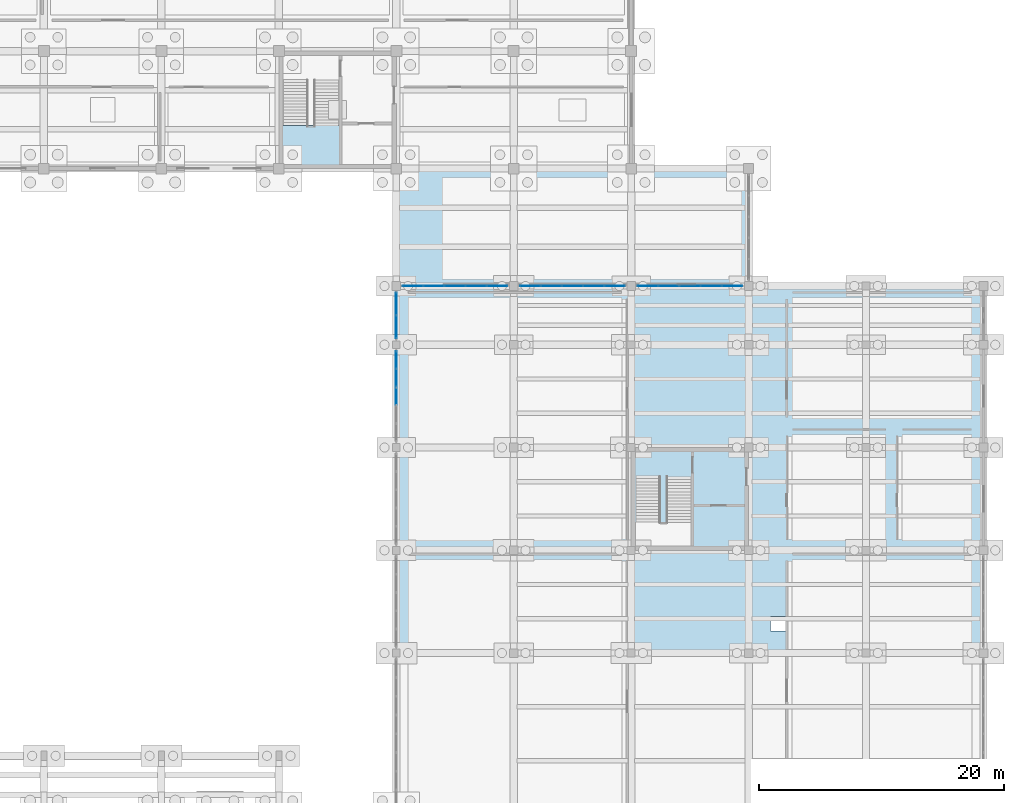
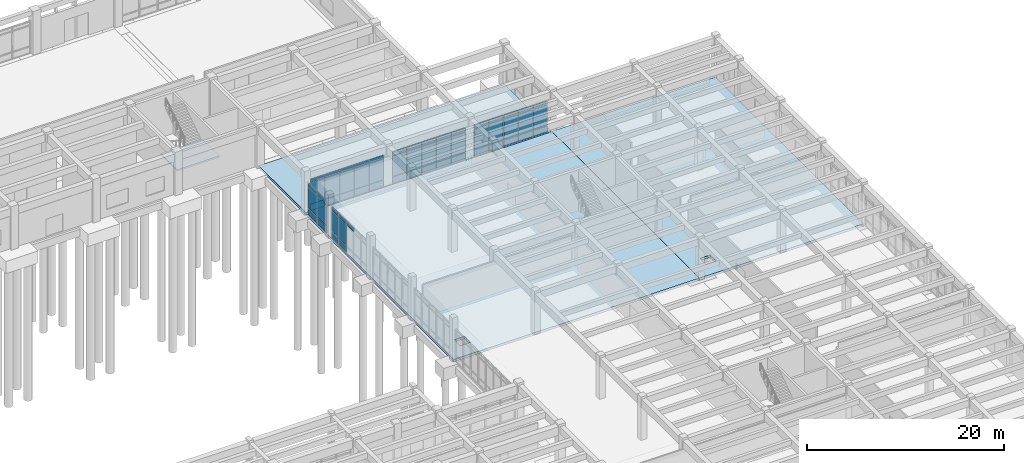
# One storey, part 65 of 102: 58 plates, 4 slabs, 6 elements without a shape of their own.
"""IFC4 building model written with IfcOpenShell, lengths in metres."""

from ifc_helpers import new_model, si_unit, direction, frame, origin, origin_2d, place, context, subcontext, project, spatial, polyline, rectangle, outline, extrude, material, layer, layer_set, type_object, element, aggregate, save


model = new_model("IFC4")

# Units and contexts
model_context = context("Model", 3, precision=1e-05, world=origin(), true_north=direction((0.0, 1.0)))
body_context = subcontext(model_context, "Body", "Model", "MODEL_VIEW")
ifc_project = project(units=[si_unit("LENGTHUNIT", "METRE"), si_unit("AREAUNIT", "SQUARE_METRE"), si_unit("VOLUMEUNIT", "CUBIC_METRE"), si_unit("PLANEANGLEUNIT", "RADIAN"), si_unit("MASSUNIT", "GRAM", prefix="KILO")], contexts=[model_context])

# Site, building, storey
site_placement = place(None, origin())
site = spatial("IfcSite", under=ifc_project, at=site_placement, CompositionType="ELEMENT")
building_placement = place(site_placement, origin())
building = spatial("IfcBuilding", under=site, at=building_placement, Name="Kolvemor Railside Polytechnic", CompositionType="ELEMENT")
storey_placement = place(building_placement, origin())
storey = spatial("IfcBuildingStorey", under=building, at=storey_placement, Name="L00", CompositionType="ELEMENT", Elevation=0.0)

# Curtain wall, plates
ifc_material_1 = material(Name="Anodised marine aluminium and laminated low-E glass", Category="aluminium")
ifc_layer_1 = layer(ifc_material_1, 0.179931640625, Name="CW-UNIT-STD")
ifc_layer_set_1 = layer_set([ifc_layer_1], Name="Anodised marine aluminium and laminated low-E glass")
curtain_wall_type = type_object("IfcCurtainWallType", Name="CW-UNIT-STD", PredefinedType="USERDEFINED", material=ifc_layer_set_1)
curtain_wall_1_placement = place(storey_placement, origin())
curtain_wall_1 = element("IfcCurtainWall", 1, at=curtain_wall_1_placement, inside=storey, type_object=curtain_wall_type, Name="Curtain Wall L00-086", ObjectType="UNITISED CURTAIN WALL", PredefinedType="USERDEFINED")
ifc_material_2 = material(Name="Hurricane-laminated solar-control low-E glass", Category="glass")
ifc_layer_2 = layer(ifc_material_2, 0.052001953125, Name="CWP-GLZ-16")
ifc_layer_set_2 = layer_set([ifc_layer_2], Name="Hurricane-laminated solar-control low-E glass")
plate_type_1 = type_object("IfcPlateType", Name="CWP-GLZ-16", PredefinedType="CURTAIN_PANEL", material=ifc_layer_set_2)
plate_1_placement = place(storey_placement, frame((134.39990234375, 75.565185546875, 0.074951171875), z_axis=(0.0, 0.0, 1.0), x_axis=(0.0, -1.0, 0.0)))
plate_1 = element("IfcPlate", 2, at=plate_1_placement, type_object=plate_type_1, Name="CW-STD panel 1.1", PredefinedType="CURTAIN_PANEL", context=body_context, shape_type="SweptSolid", body=[
    extrude(rectangle(XDim=1.37939453125, YDim=0.052001953125, at=origin_2d()), origin(), (0.0, 0.0, 1.0), 0.78759765625),
])
plate_2_placement = place(storey_placement, frame((134.39990234375, 75.565185546875, 0.9375), z_axis=(0.0, 0.0, 1.0), x_axis=(0.0, -1.0, 0.0)))
plate_2 = element("IfcPlate", 3, at=plate_2_placement, type_object=plate_type_1, Name="CW-STD panel 1.2", PredefinedType="CURTAIN_PANEL", context=body_context, shape_type="SweptSolid", body=[
    extrude(rectangle(XDim=1.37939453125, YDim=0.052001953125, at=origin_2d()), origin(), (0.0, 0.0, 1.0), 2.514892578125),
])
plate_3_placement = place(storey_placement, frame((134.39990234375, 75.565185546875, 3.527587890625), z_axis=(0.0, 0.0, 1.0), x_axis=(0.0, -1.0, 0.0)))
plate_3 = element("IfcPlate", 4, at=plate_3_placement, type_object=plate_type_1, Name="CW-STD panel 1.3", PredefinedType="CURTAIN_PANEL", context=body_context, shape_type="SweptSolid", body=[
    extrude(rectangle(XDim=1.37939453125, YDim=0.052001953125, at=origin_2d()), origin(), (0.0, 0.0, 1.0), 0.4375),
])
plate_4_placement = place(storey_placement, frame((134.39990234375, 74.092041015625, 0.074951171875), z_axis=(0.0, 0.0, 1.0), x_axis=(0.0, -1.0, 0.0)))
plate_4 = element("IfcPlate", 5, at=plate_4_placement, type_object=plate_type_1, Name="CW-STD panel 2.1", PredefinedType="CURTAIN_PANEL", context=body_context, shape_type="SweptSolid", body=[
    extrude(rectangle(XDim=1.4169921875, YDim=0.052001953125, at=origin_2d()), origin(), (0.0, 0.0, 1.0), 0.78759765625),
])
plate_5_placement = place(storey_placement, frame((134.39990234375, 74.092041015625, 0.9375), z_axis=(0.0, 0.0, 1.0), x_axis=(0.0, -1.0, 0.0)))
plate_5 = element("IfcPlate", 6, at=plate_5_placement, type_object=plate_type_1, Name="CW-STD panel 2.2", PredefinedType="CURTAIN_PANEL", context=body_context, shape_type="SweptSolid", body=[
    extrude(rectangle(XDim=1.4169921875, YDim=0.052001953125, at=origin_2d()), origin(), (0.0, 0.0, 1.0), 2.514892578125),
])
plate_6_placement = place(storey_placement, frame((134.39990234375, 74.092041015625, 3.527587890625), z_axis=(0.0, 0.0, 1.0), x_axis=(0.0, -1.0, 0.0)))
plate_6 = element("IfcPlate", 7, at=plate_6_placement, type_object=plate_type_1, Name="CW-STD panel 2.3", PredefinedType="CURTAIN_PANEL", context=body_context, shape_type="SweptSolid", body=[
    extrude(rectangle(XDim=1.4169921875, YDim=0.052001953125, at=origin_2d()), origin(), (0.0, 0.0, 1.0), 0.4375),
])
plate_7_placement = place(storey_placement, frame((134.39990234375, 72.60009765625, 3.527587890625), z_axis=(0.0, 0.0, 1.0), x_axis=(0.0, -1.0, 0.0)))
plate_7 = element("IfcPlate", 8, at=plate_7_placement, type_object=plate_type_1, Name="CW-STD panel 3.3", PredefinedType="CURTAIN_PANEL", context=body_context, shape_type="SweptSolid", body=[
    extrude(rectangle(XDim=1.4169921875, YDim=0.052001953125, at=origin_2d()), origin(), (0.0, 0.0, 1.0), 0.4375),
])
aggregate(curtain_wall_1, [plate_1, plate_2, plate_3, plate_4, plate_5, plate_6, plate_7])

curtain_wall_2_placement = place(storey_placement, origin())
curtain_wall_2 = element("IfcCurtainWall", 9, at=curtain_wall_2_placement, inside=storey, type_object=curtain_wall_type, Name="Curtain Wall L00-031", ObjectType="UNITISED CURTAIN WALL", PredefinedType="USERDEFINED")
ifc_material_3 = material(Name="Hurricane-laminated solar-control low-E glass", Category="glass")
ifc_layer_3 = layer(ifc_material_3, 0.053955078125, Name="CWP-GLZ-17")
ifc_layer_set_3 = layer_set([ifc_layer_3], Name="Hurricane-laminated solar-control low-E glass")
plate_type_2 = type_object("IfcPlateType", Name="CWP-GLZ-17", PredefinedType="CURTAIN_PANEL", material=ifc_layer_set_3)
plate_8_placement = place(storey_placement, frame((142.647705078125, 81.60009765625, 0.06494140625), z_axis=(0.0, 0.0, 1.0), x_axis=(-1.0, 0.0, 0.0)))
plate_8 = element("IfcPlate", 10, at=plate_8_placement, type_object=plate_type_2, Name="CW-STD panel 1.1", PredefinedType="CURTAIN_PANEL", context=body_context, shape_type="SweptSolid", body=[
    extrude(rectangle(XDim=1.634521484375, YDim=0.053955078125, at=origin_2d()), origin(), (0.0, 0.0, 1.0), 0.802490234375),
])
plate_9_placement = place(storey_placement, frame((142.647705078125, 81.60009765625, 0.9326171875), z_axis=(0.0, 0.0, 1.0), x_axis=(-1.0, 0.0, 0.0)))
plate_9 = element("IfcPlate", 11, at=plate_9_placement, type_object=plate_type_2, Name="CW-STD panel 1.2", PredefinedType="CURTAIN_PANEL", context=body_context, shape_type="SweptSolid", body=[
    extrude(rectangle(XDim=1.634521484375, YDim=0.053955078125, at=origin_2d()), origin(), (0.0, 0.0, 1.0), 2.52490234375),
])
plate_10_placement = place(storey_placement, frame((142.647705078125, 81.60009765625, 3.5224609375), z_axis=(0.0, 0.0, 1.0), x_axis=(-1.0, 0.0, 0.0)))
plate_10 = element("IfcPlate", 12, at=plate_10_placement, type_object=plate_type_2, Name="CW-STD panel 1.3", PredefinedType="CURTAIN_PANEL", context=body_context, shape_type="SweptSolid", body=[
    extrude(rectangle(XDim=1.634521484375, YDim=0.053955078125, at=origin_2d()), origin(), (0.0, 0.0, 1.0), 0.452392578125),
])
plate_11_placement = place(storey_placement, frame((140.931884765625, 81.60009765625, 0.06494140625), z_axis=(0.0, 0.0, 1.0), x_axis=(-1.0, 0.0, 0.0)))
plate_11 = element("IfcPlate", 13, at=plate_11_placement, type_object=plate_type_2, Name="CW-STD panel 2.1", PredefinedType="CURTAIN_PANEL", context=body_context, shape_type="SweptSolid", body=[
    extrude(rectangle(XDim=1.6669921875, YDim=0.053955078125, at=origin_2d()), origin(), (0.0, 0.0, 1.0), 0.802490234375),
])
plate_12_placement = place(storey_placement, frame((140.931884765625, 81.60009765625, 0.9326171875), z_axis=(0.0, 0.0, 1.0), x_axis=(-1.0, 0.0, 0.0)))
plate_12 = element("IfcPlate", 14, at=plate_12_placement, type_object=plate_type_2, Name="CW-STD panel 2.2", PredefinedType="CURTAIN_PANEL", context=body_context, shape_type="SweptSolid", body=[
    extrude(rectangle(XDim=1.6669921875, YDim=0.053955078125, at=origin_2d()), origin(), (0.0, 0.0, 1.0), 2.52490234375),
])
plate_13_placement = place(storey_placement, frame((140.931884765625, 81.60009765625, 3.5224609375), z_axis=(0.0, 0.0, 1.0), x_axis=(-1.0, 0.0, 0.0)))
plate_13 = element("IfcPlate", 15, at=plate_13_placement, type_object=plate_type_2, Name="CW-STD panel 2.3", PredefinedType="CURTAIN_PANEL", context=body_context, shape_type="SweptSolid", body=[
    extrude(rectangle(XDim=1.6669921875, YDim=0.053955078125, at=origin_2d()), origin(), (0.0, 0.0, 1.0), 0.452392578125),
])
plate_14_placement = place(storey_placement, frame((139.199951171875, 81.60009765625, 0.06494140625), z_axis=(0.0, 0.0, 1.0), x_axis=(-1.0, 0.0, 0.0)))
plate_14 = element("IfcPlate", 16, at=plate_14_placement, type_object=plate_type_2, Name="CW-STD panel 3.1", PredefinedType="CURTAIN_PANEL", context=body_context, shape_type="SweptSolid", body=[
    extrude(rectangle(XDim=1.6669921875, YDim=0.053955078125, at=origin_2d()), origin(), (0.0, 0.0, 1.0), 0.802490234375),
])
plate_15_placement = place(storey_placement, frame((139.199951171875, 81.60009765625, 0.9326171875), z_axis=(0.0, 0.0, 1.0), x_axis=(-1.0, 0.0, 0.0)))
plate_15 = element("IfcPlate", 17, at=plate_15_placement, type_object=plate_type_2, Name="CW-STD panel 3.2", PredefinedType="CURTAIN_PANEL", context=body_context, shape_type="SweptSolid", body=[
    extrude(rectangle(XDim=1.6669921875, YDim=0.053955078125, at=origin_2d()), origin(), (0.0, 0.0, 1.0), 2.52490234375),
])
plate_16_placement = place(storey_placement, frame((139.199951171875, 81.60009765625, 3.5224609375), z_axis=(0.0, 0.0, 1.0), x_axis=(-1.0, 0.0, 0.0)))
plate_16 = element("IfcPlate", 18, at=plate_16_placement, type_object=plate_type_2, Name="CW-STD panel 3.3", PredefinedType="CURTAIN_PANEL", context=body_context, shape_type="SweptSolid", body=[
    extrude(rectangle(XDim=1.6669921875, YDim=0.053955078125, at=origin_2d()), origin(), (0.0, 0.0, 1.0), 0.452392578125),
])
plate_17_placement = place(storey_placement, frame((137.468017578125, 81.60009765625, 0.06494140625), z_axis=(0.0, 0.0, 1.0), x_axis=(-1.0, 0.0, 0.0)))
plate_17 = element("IfcPlate", 19, at=plate_17_placement, type_object=plate_type_2, Name="CW-STD panel 4.1", PredefinedType="CURTAIN_PANEL", context=body_context, shape_type="SweptSolid", body=[
    extrude(rectangle(XDim=1.6669921875, YDim=0.053955078125, at=origin_2d()), origin(), (0.0, 0.0, 1.0), 0.802490234375),
])
plate_18_placement = place(storey_placement, frame((137.468017578125, 81.60009765625, 0.9326171875), z_axis=(0.0, 0.0, 1.0), x_axis=(-1.0, 0.0, 0.0)))
plate_18 = element("IfcPlate", 20, at=plate_18_placement, type_object=plate_type_2, Name="CW-STD panel 4.2", PredefinedType="CURTAIN_PANEL", context=body_context, shape_type="SweptSolid", body=[
    extrude(rectangle(XDim=1.6669921875, YDim=0.053955078125, at=origin_2d()), origin(), (0.0, 0.0, 1.0), 2.52490234375),
])
plate_19_placement = place(storey_placement, frame((137.468017578125, 81.60009765625, 3.5224609375), z_axis=(0.0, 0.0, 1.0), x_axis=(-1.0, 0.0, 0.0)))
plate_19 = element("IfcPlate", 21, at=plate_19_placement, type_object=plate_type_2, Name="CW-STD panel 4.3", PredefinedType="CURTAIN_PANEL", context=body_context, shape_type="SweptSolid", body=[
    extrude(rectangle(XDim=1.6669921875, YDim=0.053955078125, at=origin_2d()), origin(), (0.0, 0.0, 1.0), 0.452392578125),
])
plate_20_placement = place(storey_placement, frame((135.752197265625, 81.60009765625, 0.06494140625), z_axis=(0.0, 0.0, 1.0), x_axis=(-1.0, 0.0, 0.0)))
plate_20 = element("IfcPlate", 22, at=plate_20_placement, type_object=plate_type_2, Name="CW-STD panel 5.1", PredefinedType="CURTAIN_PANEL", context=body_context, shape_type="SweptSolid", body=[
    extrude(rectangle(XDim=1.634521484375, YDim=0.053955078125, at=origin_2d()), origin(), (0.0, 0.0, 1.0), 0.802490234375),
])
plate_21_placement = place(storey_placement, frame((135.752197265625, 81.60009765625, 0.9326171875), z_axis=(0.0, 0.0, 1.0), x_axis=(-1.0, 0.0, 0.0)))
plate_21 = element("IfcPlate", 23, at=plate_21_placement, type_object=plate_type_2, Name="CW-STD panel 5.2", PredefinedType="CURTAIN_PANEL", context=body_context, shape_type="SweptSolid", body=[
    extrude(rectangle(XDim=1.634521484375, YDim=0.053955078125, at=origin_2d()), origin(), (0.0, 0.0, 1.0), 2.52490234375),
])
plate_22_placement = place(storey_placement, frame((135.752197265625, 81.60009765625, 3.5224609375), z_axis=(0.0, 0.0, 1.0), x_axis=(-1.0, 0.0, 0.0)))
plate_22 = element("IfcPlate", 24, at=plate_22_placement, type_object=plate_type_2, Name="CW-STD panel 5.3", PredefinedType="CURTAIN_PANEL", context=body_context, shape_type="SweptSolid", body=[
    extrude(rectangle(XDim=1.634521484375, YDim=0.053955078125, at=origin_2d()), origin(), (0.0, 0.0, 1.0), 0.452392578125),
])
aggregate(curtain_wall_2, [plate_8, plate_9, plate_10, plate_11, plate_12, plate_13, plate_14, plate_15, plate_16, plate_17, plate_18, plate_19, plate_20, plate_21, plate_22])

curtain_wall_3_placement = place(storey_placement, origin())
curtain_wall_3 = element("IfcCurtainWall", 25, at=curtain_wall_3_placement, inside=storey, type_object=curtain_wall_type, Name="Curtain Wall L00-092", ObjectType="UNITISED CURTAIN WALL", PredefinedType="USERDEFINED")
plate_23_placement = place(storey_placement, frame((134.39990234375, 80.146240234375, 0.074951171875), z_axis=(0.0, 0.0, 1.0), x_axis=(0.0, -1.0, 0.0)))
plate_23 = element("IfcPlate", 26, at=plate_23_placement, type_object=plate_type_2, Name="CW-STD panel 1.1", PredefinedType="CURTAIN_PANEL", context=body_context, shape_type="SweptSolid", body=[
    extrude(rectangle(XDim=1.8173828125, YDim=0.053955078125, at=origin_2d()), origin(), (0.0, 0.0, 1.0), 0.78759765625),
])
plate_24_placement = place(storey_placement, frame((134.39990234375, 80.146240234375, 0.9375), z_axis=(0.0, 0.0, 1.0), x_axis=(0.0, -1.0, 0.0)))
plate_24 = element("IfcPlate", 27, at=plate_24_placement, type_object=plate_type_2, Name="CW-STD panel 1.2", PredefinedType="CURTAIN_PANEL", context=body_context, shape_type="SweptSolid", body=[
    extrude(rectangle(XDim=1.8173828125, YDim=0.053955078125, at=origin_2d()), origin(), (0.0, 0.0, 1.0), 2.514892578125),
])
plate_25_placement = place(storey_placement, frame((134.39990234375, 80.146240234375, 3.527587890625), z_axis=(0.0, 0.0, 1.0), x_axis=(0.0, -1.0, 0.0)))
plate_25 = element("IfcPlate", 28, at=plate_25_placement, type_object=plate_type_2, Name="CW-STD panel 1.3", PredefinedType="CURTAIN_PANEL", context=body_context, shape_type="SweptSolid", body=[
    extrude(rectangle(XDim=1.8173828125, YDim=0.053955078125, at=origin_2d()), origin(), (0.0, 0.0, 1.0), 0.4375),
])
plate_26_placement = place(storey_placement, frame((134.39990234375, 78.253662109375, 0.074951171875), z_axis=(0.0, 0.0, 1.0), x_axis=(0.0, -1.0, 0.0)))
plate_26 = element("IfcPlate", 29, at=plate_26_placement, type_object=plate_type_2, Name="CW-STD panel 2.1", PredefinedType="CURTAIN_PANEL", context=body_context, shape_type="SweptSolid", body=[
    extrude(rectangle(XDim=1.8173828125, YDim=0.053955078125, at=origin_2d()), origin(), (0.0, 0.0, 1.0), 0.78759765625),
])
plate_27_placement = place(storey_placement, frame((134.39990234375, 78.253662109375, 0.9375), z_axis=(0.0, 0.0, 1.0), x_axis=(0.0, -1.0, 0.0)))
plate_27 = element("IfcPlate", 30, at=plate_27_placement, type_object=plate_type_2, Name="CW-STD panel 2.2", PredefinedType="CURTAIN_PANEL", context=body_context, shape_type="SweptSolid", body=[
    extrude(rectangle(XDim=1.8173828125, YDim=0.053955078125, at=origin_2d()), origin(), (0.0, 0.0, 1.0), 2.514892578125),
])
plate_28_placement = place(storey_placement, frame((134.39990234375, 78.253662109375, 3.527587890625), z_axis=(0.0, 0.0, 1.0), x_axis=(0.0, -1.0, 0.0)))
plate_28 = element("IfcPlate", 31, at=plate_28_placement, type_object=plate_type_2, Name="CW-STD panel 2.3", PredefinedType="CURTAIN_PANEL", context=body_context, shape_type="SweptSolid", body=[
    extrude(rectangle(XDim=1.8173828125, YDim=0.053955078125, at=origin_2d()), origin(), (0.0, 0.0, 1.0), 0.4375),
])
aggregate(curtain_wall_3, [plate_23, plate_24, plate_25, plate_26, plate_27, plate_28])

curtain_wall_4_placement = place(storey_placement, origin())
curtain_wall_4 = element("IfcCurtainWall", 32, at=curtain_wall_4_placement, inside=storey, type_object=curtain_wall_type, Name="Curtain Wall L00-032", ObjectType="UNITISED CURTAIN WALL", PredefinedType="USERDEFINED")
ifc_material_4 = material(Name="Hurricane-laminated solar-control low-E glass", Category="glass")
ifc_layer_4 = layer(ifc_material_4, 0.055908203125, Name="CWP-GLZ-18")
ifc_layer_set_4 = layer_set([ifc_layer_4], Name="Hurricane-laminated solar-control low-E glass")
plate_type_3 = type_object("IfcPlateType", Name="CWP-GLZ-18", PredefinedType="CURTAIN_PANEL", material=ifc_layer_set_4)
plate_29_placement = place(storey_placement, frame((152.247802734375, 81.60009765625, 0.06494140625), z_axis=(0.0, 0.0, 1.0), x_axis=(-1.0, 0.0, 0.0)))
plate_29 = element("IfcPlate", 33, at=plate_29_placement, type_object=plate_type_3, Name="CW-STD panel 1.1", PredefinedType="CURTAIN_PANEL", context=body_context, shape_type="SweptSolid", body=[
    extrude(rectangle(XDim=1.634521484375, YDim=0.055908203125, at=origin_2d()), origin(), (0.0, 0.0, 1.0), 0.802490234375),
])
plate_30_placement = place(storey_placement, frame((152.247802734375, 81.60009765625, 0.9326171875), z_axis=(0.0, 0.0, 1.0), x_axis=(-1.0, 0.0, 0.0)))
plate_30 = element("IfcPlate", 34, at=plate_30_placement, type_object=plate_type_3, Name="CW-STD panel 1.2", PredefinedType="CURTAIN_PANEL", context=body_context, shape_type="SweptSolid", body=[
    extrude(rectangle(XDim=1.634521484375, YDim=0.055908203125, at=origin_2d()), origin(), (0.0, 0.0, 1.0), 2.52490234375),
])
plate_31_placement = place(storey_placement, frame((152.247802734375, 81.60009765625, 3.5224609375), z_axis=(0.0, 0.0, 1.0), x_axis=(-1.0, 0.0, 0.0)))
plate_31 = element("IfcPlate", 35, at=plate_31_placement, type_object=plate_type_3, Name="CW-STD panel 1.3", PredefinedType="CURTAIN_PANEL", context=body_context, shape_type="SweptSolid", body=[
    extrude(rectangle(XDim=1.634521484375, YDim=0.055908203125, at=origin_2d()), origin(), (0.0, 0.0, 1.0), 0.452392578125),
])
plate_32_placement = place(storey_placement, frame((150.531982421875, 81.60009765625, 0.06494140625), z_axis=(0.0, 0.0, 1.0), x_axis=(-1.0, 0.0, 0.0)))
plate_32 = element("IfcPlate", 36, at=plate_32_placement, type_object=plate_type_3, Name="CW-STD panel 2.1", PredefinedType="CURTAIN_PANEL", context=body_context, shape_type="SweptSolid", body=[
    extrude(rectangle(XDim=1.6669921875, YDim=0.055908203125, at=origin_2d()), origin(), (0.0, 0.0, 1.0), 0.802490234375),
])
plate_33_placement = place(storey_placement, frame((150.531982421875, 81.60009765625, 0.9326171875), z_axis=(0.0, 0.0, 1.0), x_axis=(-1.0, 0.0, 0.0)))
plate_33 = element("IfcPlate", 37, at=plate_33_placement, type_object=plate_type_3, Name="CW-STD panel 2.2", PredefinedType="CURTAIN_PANEL", context=body_context, shape_type="SweptSolid", body=[
    extrude(rectangle(XDim=1.6669921875, YDim=0.055908203125, at=origin_2d()), origin(), (0.0, 0.0, 1.0), 2.52490234375),
])
plate_34_placement = place(storey_placement, frame((150.531982421875, 81.60009765625, 3.5224609375), z_axis=(0.0, 0.0, 1.0), x_axis=(-1.0, 0.0, 0.0)))
plate_34 = element("IfcPlate", 38, at=plate_34_placement, type_object=plate_type_3, Name="CW-STD panel 2.3", PredefinedType="CURTAIN_PANEL", context=body_context, shape_type="SweptSolid", body=[
    extrude(rectangle(XDim=1.6669921875, YDim=0.055908203125, at=origin_2d()), origin(), (0.0, 0.0, 1.0), 0.452392578125),
])
plate_35_placement = place(storey_placement, frame((148.800048828125, 81.60009765625, 0.06494140625), z_axis=(0.0, 0.0, 1.0), x_axis=(-1.0, 0.0, 0.0)))
plate_35 = element("IfcPlate", 39, at=plate_35_placement, type_object=plate_type_3, Name="CW-STD panel 3.1", PredefinedType="CURTAIN_PANEL", context=body_context, shape_type="SweptSolid", body=[
    extrude(rectangle(XDim=1.6669921875, YDim=0.055908203125, at=origin_2d()), origin(), (0.0, 0.0, 1.0), 0.802490234375),
])
plate_36_placement = place(storey_placement, frame((148.800048828125, 81.60009765625, 0.9326171875), z_axis=(0.0, 0.0, 1.0), x_axis=(-1.0, 0.0, 0.0)))
plate_36 = element("IfcPlate", 40, at=plate_36_placement, type_object=plate_type_3, Name="CW-STD panel 3.2", PredefinedType="CURTAIN_PANEL", context=body_context, shape_type="SweptSolid", body=[
    extrude(rectangle(XDim=1.6669921875, YDim=0.055908203125, at=origin_2d()), origin(), (0.0, 0.0, 1.0), 2.52490234375),
])
plate_37_placement = place(storey_placement, frame((148.800048828125, 81.60009765625, 3.5224609375), z_axis=(0.0, 0.0, 1.0), x_axis=(-1.0, 0.0, 0.0)))
plate_37 = element("IfcPlate", 41, at=plate_37_placement, type_object=plate_type_3, Name="CW-STD panel 3.3", PredefinedType="CURTAIN_PANEL", context=body_context, shape_type="SweptSolid", body=[
    extrude(rectangle(XDim=1.6669921875, YDim=0.055908203125, at=origin_2d()), origin(), (0.0, 0.0, 1.0), 0.452392578125),
])
plate_38_placement = place(storey_placement, frame((147.068115234375, 81.60009765625, 0.06494140625), z_axis=(0.0, 0.0, 1.0), x_axis=(-1.0, 0.0, 0.0)))
plate_38 = element("IfcPlate", 42, at=plate_38_placement, type_object=plate_type_3, Name="CW-STD panel 4.1", PredefinedType="CURTAIN_PANEL", context=body_context, shape_type="SweptSolid", body=[
    extrude(rectangle(XDim=1.6669921875, YDim=0.055908203125, at=origin_2d()), origin(), (0.0, 0.0, 1.0), 0.802490234375),
])
plate_39_placement = place(storey_placement, frame((147.068115234375, 81.60009765625, 0.9326171875), z_axis=(0.0, 0.0, 1.0), x_axis=(-1.0, 0.0, 0.0)))
plate_39 = element("IfcPlate", 43, at=plate_39_placement, type_object=plate_type_3, Name="CW-STD panel 4.2", PredefinedType="CURTAIN_PANEL", context=body_context, shape_type="SweptSolid", body=[
    extrude(rectangle(XDim=1.6669921875, YDim=0.055908203125, at=origin_2d()), origin(), (0.0, 0.0, 1.0), 2.52490234375),
])
plate_40_placement = place(storey_placement, frame((147.068115234375, 81.60009765625, 3.5224609375), z_axis=(0.0, 0.0, 1.0), x_axis=(-1.0, 0.0, 0.0)))
plate_40 = element("IfcPlate", 44, at=plate_40_placement, type_object=plate_type_3, Name="CW-STD panel 4.3", PredefinedType="CURTAIN_PANEL", context=body_context, shape_type="SweptSolid", body=[
    extrude(rectangle(XDim=1.6669921875, YDim=0.055908203125, at=origin_2d()), origin(), (0.0, 0.0, 1.0), 0.452392578125),
])
plate_41_placement = place(storey_placement, frame((145.352294921875, 81.60009765625, 0.06494140625), z_axis=(0.0, 0.0, 1.0), x_axis=(-1.0, 0.0, 0.0)))
plate_41 = element("IfcPlate", 45, at=plate_41_placement, type_object=plate_type_3, Name="CW-STD panel 5.1", PredefinedType="CURTAIN_PANEL", context=body_context, shape_type="SweptSolid", body=[
    extrude(rectangle(XDim=1.634521484375, YDim=0.055908203125, at=origin_2d()), origin(), (0.0, 0.0, 1.0), 0.802490234375),
])
plate_42_placement = place(storey_placement, frame((145.352294921875, 81.60009765625, 0.9326171875), z_axis=(0.0, 0.0, 1.0), x_axis=(-1.0, 0.0, 0.0)))
plate_42 = element("IfcPlate", 46, at=plate_42_placement, type_object=plate_type_3, Name="CW-STD panel 5.2", PredefinedType="CURTAIN_PANEL", context=body_context, shape_type="SweptSolid", body=[
    extrude(rectangle(XDim=1.634521484375, YDim=0.055908203125, at=origin_2d()), origin(), (0.0, 0.0, 1.0), 2.52490234375),
])
plate_43_placement = place(storey_placement, frame((145.352294921875, 81.60009765625, 3.5224609375), z_axis=(0.0, 0.0, 1.0), x_axis=(-1.0, 0.0, 0.0)))
plate_43 = element("IfcPlate", 47, at=plate_43_placement, type_object=plate_type_3, Name="CW-STD panel 5.3", PredefinedType="CURTAIN_PANEL", context=body_context, shape_type="SweptSolid", body=[
    extrude(rectangle(XDim=1.634521484375, YDim=0.055908203125, at=origin_2d()), origin(), (0.0, 0.0, 1.0), 0.452392578125),
])
aggregate(curtain_wall_4, [plate_29, plate_30, plate_31, plate_32, plate_33, plate_34, plate_35, plate_36, plate_37, plate_38, plate_39, plate_40, plate_41, plate_42, plate_43])

curtain_wall_5_placement = place(storey_placement, origin())
curtain_wall_5 = element("IfcCurtainWall", 48, at=curtain_wall_5_placement, inside=storey, type_object=curtain_wall_type, Name="Curtain Wall L00-033", ObjectType="UNITISED CURTAIN WALL", PredefinedType="USERDEFINED")
ifc_material_5 = material(Name="Hurricane-laminated solar-control low-E glass", Category="glass")
ifc_layer_5 = layer(ifc_material_5, 0.05810546875, Name="CWP-GLZ-19")
ifc_layer_set_5 = layer_set([ifc_layer_5], Name="Hurricane-laminated solar-control low-E glass")
plate_type_4 = type_object("IfcPlateType", Name="CWP-GLZ-19", PredefinedType="CURTAIN_PANEL", material=ifc_layer_set_5)
plate_44_placement = place(storey_placement, frame((161.84765625, 81.60009765625, 0.06494140625), z_axis=(0.0, 0.0, 1.0), x_axis=(-1.0, 0.0, 0.0)))
plate_44 = element("IfcPlate", 49, at=plate_44_placement, type_object=plate_type_4, Name="CW-STD panel 1.1", PredefinedType="CURTAIN_PANEL", context=body_context, shape_type="SweptSolid", body=[
    extrude(rectangle(XDim=1.634521484375, YDim=0.05810546875, at=origin_2d()), origin(), (0.0, 0.0, 1.0), 0.802490234375),
])
plate_45_placement = place(storey_placement, frame((161.84765625, 81.60009765625, 0.9326171875), z_axis=(0.0, 0.0, 1.0), x_axis=(-1.0, 0.0, 0.0)))
plate_45 = element("IfcPlate", 50, at=plate_45_placement, type_object=plate_type_4, Name="CW-STD panel 1.2", PredefinedType="CURTAIN_PANEL", context=body_context, shape_type="SweptSolid", body=[
    extrude(rectangle(XDim=1.634521484375, YDim=0.05810546875, at=origin_2d()), origin(), (0.0, 0.0, 1.0), 2.52490234375),
])
plate_46_placement = place(storey_placement, frame((161.84765625, 81.60009765625, 3.5224609375), z_axis=(0.0, 0.0, 1.0), x_axis=(-1.0, 0.0, 0.0)))
plate_46 = element("IfcPlate", 51, at=plate_46_placement, type_object=plate_type_4, Name="CW-STD panel 1.3", PredefinedType="CURTAIN_PANEL", context=body_context, shape_type="SweptSolid", body=[
    extrude(rectangle(XDim=1.634521484375, YDim=0.05810546875, at=origin_2d()), origin(), (0.0, 0.0, 1.0), 0.452392578125),
])
plate_47_placement = place(storey_placement, frame((160.132080078125, 81.60009765625, 0.06494140625), z_axis=(0.0, 0.0, 1.0), x_axis=(-1.0, 0.0, 0.0)))
plate_47 = element("IfcPlate", 52, at=plate_47_placement, type_object=plate_type_4, Name="CW-STD panel 2.1", PredefinedType="CURTAIN_PANEL", context=body_context, shape_type="SweptSolid", body=[
    extrude(rectangle(XDim=1.6669921875, YDim=0.05810546875, at=origin_2d()), origin(), (0.0, 0.0, 1.0), 0.802490234375),
])
plate_48_placement = place(storey_placement, frame((160.132080078125, 81.60009765625, 0.9326171875), z_axis=(0.0, 0.0, 1.0), x_axis=(-1.0, 0.0, 0.0)))
plate_48 = element("IfcPlate", 53, at=plate_48_placement, type_object=plate_type_4, Name="CW-STD panel 2.2", PredefinedType="CURTAIN_PANEL", context=body_context, shape_type="SweptSolid", body=[
    extrude(rectangle(XDim=1.6669921875, YDim=0.05810546875, at=origin_2d()), origin(), (0.0, 0.0, 1.0), 2.52490234375),
])
plate_49_placement = place(storey_placement, frame((160.132080078125, 81.60009765625, 3.5224609375), z_axis=(0.0, 0.0, 1.0), x_axis=(-1.0, 0.0, 0.0)))
plate_49 = element("IfcPlate", 54, at=plate_49_placement, type_object=plate_type_4, Name="CW-STD panel 2.3", PredefinedType="CURTAIN_PANEL", context=body_context, shape_type="SweptSolid", body=[
    extrude(rectangle(XDim=1.6669921875, YDim=0.05810546875, at=origin_2d()), origin(), (0.0, 0.0, 1.0), 0.452392578125),
])
plate_50_placement = place(storey_placement, frame((158.39990234375, 81.60009765625, 0.06494140625), z_axis=(0.0, 0.0, 1.0), x_axis=(-1.0, 0.0, 0.0)))
plate_50 = element("IfcPlate", 55, at=plate_50_placement, type_object=plate_type_4, Name="CW-STD panel 3.1", PredefinedType="CURTAIN_PANEL", context=body_context, shape_type="SweptSolid", body=[
    extrude(rectangle(XDim=1.6669921875, YDim=0.05810546875, at=origin_2d()), origin(), (0.0, 0.0, 1.0), 0.802490234375),
])
plate_51_placement = place(storey_placement, frame((158.39990234375, 81.60009765625, 0.9326171875), z_axis=(0.0, 0.0, 1.0), x_axis=(-1.0, 0.0, 0.0)))
plate_51 = element("IfcPlate", 56, at=plate_51_placement, type_object=plate_type_4, Name="CW-STD panel 3.2", PredefinedType="CURTAIN_PANEL", context=body_context, shape_type="SweptSolid", body=[
    extrude(rectangle(XDim=1.6669921875, YDim=0.05810546875, at=origin_2d()), origin(), (0.0, 0.0, 1.0), 2.52490234375),
])
plate_52_placement = place(storey_placement, frame((158.39990234375, 81.60009765625, 3.5224609375), z_axis=(0.0, 0.0, 1.0), x_axis=(-1.0, 0.0, 0.0)))
plate_52 = element("IfcPlate", 57, at=plate_52_placement, type_object=plate_type_4, Name="CW-STD panel 3.3", PredefinedType="CURTAIN_PANEL", context=body_context, shape_type="SweptSolid", body=[
    extrude(rectangle(XDim=1.6669921875, YDim=0.05810546875, at=origin_2d()), origin(), (0.0, 0.0, 1.0), 0.452392578125),
])
plate_53_placement = place(storey_placement, frame((156.66796875, 81.60009765625, 0.06494140625), z_axis=(0.0, 0.0, 1.0), x_axis=(-1.0, 0.0, 0.0)))
plate_53 = element("IfcPlate", 58, at=plate_53_placement, type_object=plate_type_4, Name="CW-STD panel 4.1", PredefinedType="CURTAIN_PANEL", context=body_context, shape_type="SweptSolid", body=[
    extrude(rectangle(XDim=1.6669921875, YDim=0.05810546875, at=origin_2d()), origin(), (0.0, 0.0, 1.0), 0.802490234375),
])
plate_54_placement = place(storey_placement, frame((156.66796875, 81.60009765625, 0.9326171875), z_axis=(0.0, 0.0, 1.0), x_axis=(-1.0, 0.0, 0.0)))
plate_54 = element("IfcPlate", 59, at=plate_54_placement, type_object=plate_type_4, Name="CW-STD panel 4.2", PredefinedType="CURTAIN_PANEL", context=body_context, shape_type="SweptSolid", body=[
    extrude(rectangle(XDim=1.6669921875, YDim=0.05810546875, at=origin_2d()), origin(), (0.0, 0.0, 1.0), 2.52490234375),
])
plate_55_placement = place(storey_placement, frame((156.66796875, 81.60009765625, 3.5224609375), z_axis=(0.0, 0.0, 1.0), x_axis=(-1.0, 0.0, 0.0)))
plate_55 = element("IfcPlate", 60, at=plate_55_placement, type_object=plate_type_4, Name="CW-STD panel 4.3", PredefinedType="CURTAIN_PANEL", context=body_context, shape_type="SweptSolid", body=[
    extrude(rectangle(XDim=1.6669921875, YDim=0.05810546875, at=origin_2d()), origin(), (0.0, 0.0, 1.0), 0.452392578125),
])
plate_56_placement = place(storey_placement, frame((154.9521484375, 81.60009765625, 0.06494140625), z_axis=(0.0, 0.0, 1.0), x_axis=(-1.0, 0.0, 0.0)))
plate_56 = element("IfcPlate", 61, at=plate_56_placement, type_object=plate_type_4, Name="CW-STD panel 5.1", PredefinedType="CURTAIN_PANEL", context=body_context, shape_type="SweptSolid", body=[
    extrude(rectangle(XDim=1.634521484375, YDim=0.05810546875, at=origin_2d()), origin(), (0.0, 0.0, 1.0), 0.802490234375),
])
plate_57_placement = place(storey_placement, frame((154.9521484375, 81.60009765625, 0.9326171875), z_axis=(0.0, 0.0, 1.0), x_axis=(-1.0, 0.0, 0.0)))
plate_57 = element("IfcPlate", 62, at=plate_57_placement, type_object=plate_type_4, Name="CW-STD panel 5.2", PredefinedType="CURTAIN_PANEL", context=body_context, shape_type="SweptSolid", body=[
    extrude(rectangle(XDim=1.634521484375, YDim=0.05810546875, at=origin_2d()), origin(), (0.0, 0.0, 1.0), 2.52490234375),
])
plate_58_placement = place(storey_placement, frame((154.9521484375, 81.60009765625, 3.5224609375), z_axis=(0.0, 0.0, 1.0), x_axis=(-1.0, 0.0, 0.0)))
plate_58 = element("IfcPlate", 63, at=plate_58_placement, type_object=plate_type_4, Name="CW-STD panel 5.3", PredefinedType="CURTAIN_PANEL", context=body_context, shape_type="SweptSolid", body=[
    extrude(rectangle(XDim=1.634521484375, YDim=0.05810546875, at=origin_2d()), origin(), (0.0, 0.0, 1.0), 0.452392578125),
])
aggregate(curtain_wall_5, [plate_44, plate_45, plate_46, plate_47, plate_48, plate_49, plate_50, plate_51, plate_52, plate_53, plate_54, plate_55, plate_56, plate_57, plate_58])

# Slabs
ifc_material_6 = material(Name="Concrete C40/50", Category="concrete")
ifc_layer_6 = layer(ifc_material_6, 0.300048828125, Name="SLB-BASE-STD")
ifc_layer_set_6 = layer_set([ifc_layer_6], Name="Concrete C40/50")
slab_type_1 = type_object("IfcSlabType", Name="SLB-BASE-STD", PredefinedType="BASESLAB", material=ifc_layer_set_6)
slab_1_placement = place(storey_placement, frame((0.0, 0.0, -0.300048828125)))
element("IfcSlab", 64, at=slab_1_placement, inside=storey, type_object=slab_type_1, Name="East Link Base Slab L00-07", PredefinedType="BASESLAB", context=body_context, shape_type="SweptSolid", body=[
    extrude(outline(polyline([(134.39990234375, 81.60009765625), (163.199951171875, 81.60009765625), (163.199951171875, 91.199951171875), (134.39990234375, 91.199951171875), (134.39990234375, 81.60009765625)])), origin(), (0.0, 0.0, 1.0), 0.300048828125),
])
slab_2_placement = place(storey_placement, frame((0.0, 0.0, -0.300048828125)))
element("IfcSlab", 65, at=slab_2_placement, inside=storey, type_object=slab_type_1, Name="Union Wing Base Slab L00-18", PredefinedType="BASESLAB", context=body_context, shape_type="SweptSolid", body=[
    extrude(outline(polyline([(134.39990234375, 51.60009765625), (163.199951171875, 51.60009765625), (163.199951171875, 81.52490234375), (134.39990234375, 81.52490234375), (134.39990234375, 51.60009765625)]), holes=[polyline([(136.199951171875, 53.39990234375), (137.39990234375, 53.39990234375), (137.39990234375, 54.60009765625), (136.199951171875, 54.60009765625), (136.199951171875, 53.39990234375)])]), origin(), (0.0, 0.0, 1.0), 0.300048828125),
])
slab_3_placement = place(storey_placement, frame((0.0, 0.0, -0.300048828125)))
element("IfcSlab", 66, at=slab_3_placement, inside=storey, type_object=slab_type_1, Name="Union Wing Base Slab L00-21", PredefinedType="BASESLAB", context=body_context, shape_type="SweptSolid", body=[
    extrude(outline(polyline([(163.199951171875, 51.60009765625), (182.39990234375, 51.60009765625), (182.39990234375, 81.60009765625), (163.199951171875, 81.60009765625), (163.199951171875, 51.60009765625)]), holes=[polyline([(165.0, 53.39990234375), (166.199951171875, 53.39990234375), (166.199951171875, 54.60009765625), (165.0, 54.60009765625), (165.0, 53.39990234375)])]), origin(), (0.0, 0.0, 1.0), 0.300048828125),
])

# Stair, slab
ifc_material_7 = material(Name="Concrete C40/50", Category="concrete")
stair_type = type_object("IfcStairType", Name="STR-CORE-540", PredefinedType="HALF_TURN_STAIR", material=ifc_material_7)
stair_placement = place(storey_placement, origin())
stair = element("IfcStair", 67, at=stair_placement, inside=storey, type_object=stair_type, Name="Core Stair ST-9 (L00 to L01)", PredefinedType="HALF_TURN_STAIR")
ifc_material_8 = material(Name="Concrete C40/50", Category="concrete")
ifc_layer_7 = layer(ifc_material_8, 0.199951171875, Name="SLB-LND-200")
ifc_layer_set_7 = layer_set([ifc_layer_7], Name="Concrete C40/50")
slab_type_2 = type_object("IfcSlabType", Name="SLB-LND-200", PredefinedType="LANDING", material=ifc_layer_set_7)
slab_4_placement = place(storey_placement, frame((0.0, 0.0, 2.5)))
slab_4 = element("IfcSlab", 68, at=slab_4_placement, type_object=slab_type_2, Name="ST-9-L00 landing 1", PredefinedType="LANDING", context=body_context, shape_type="SweptSolid", body=[
    extrude(outline(polyline([(124.949951171875, 91.35009765625), (129.89990234375, 91.35009765625), (129.89990234375, 94.719970703125), (124.949951171875, 94.719970703125), (124.949951171875, 91.35009765625)])), origin(), (0.0, 0.0, 1.0), 0.199951171875),
])
aggregate(stair, [slab_4])

save(model, "model.ifc")
